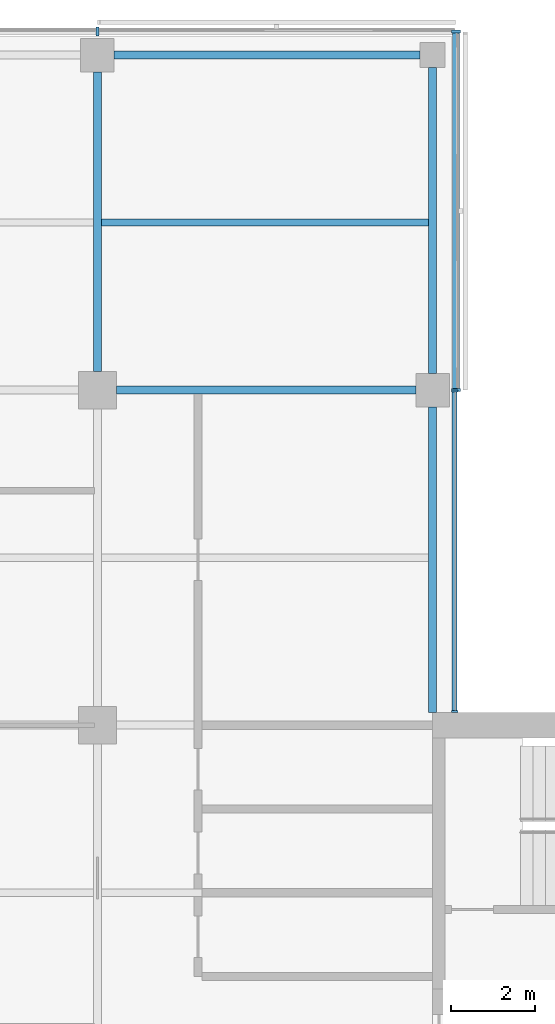
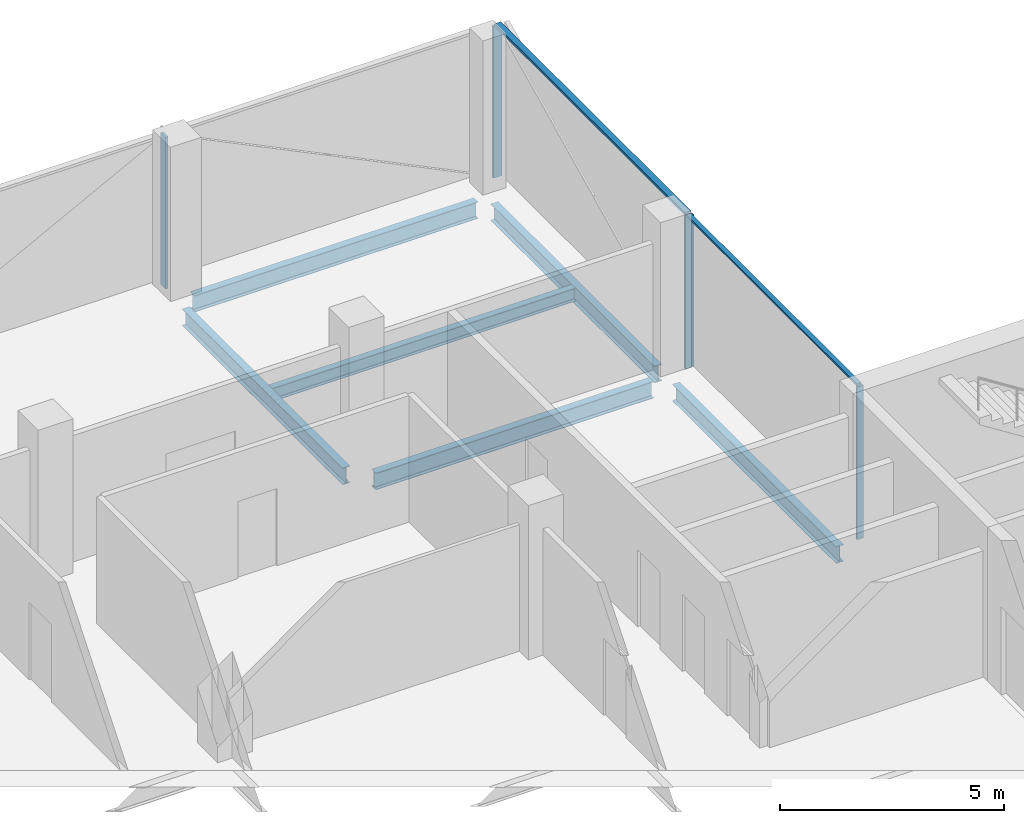
# One storey, part 7 of 16: 7 members, 6 beams, 3 elements without a shape of their own.
"""IFC4 building model written with IfcOpenShell, lengths in metres."""

from ifc_helpers import new_model, si_unit, direction, frame, origin, origin_2d, place, context, subcontext, project, spatial, rectangle, i_section, extrude, material, material_profile, profile_set, type_object, element, aggregate, save


model = new_model("IFC4")

# Units and contexts
model_context = context("Model", 3, precision=1e-05, world=origin(), true_north=direction((0.0, 1.0)))
body_context = subcontext(model_context, "Body", "Model", "MODEL_VIEW")
ifc_project = project(units=[si_unit("LENGTHUNIT", "METRE"), si_unit("AREAUNIT", "SQUARE_METRE"), si_unit("VOLUMEUNIT", "CUBIC_METRE"), si_unit("PLANEANGLEUNIT", "RADIAN"), si_unit("MASSUNIT", "GRAM", prefix="KILO")], contexts=[model_context])

# Site, building, storey
site_placement = place(None, origin())
site = spatial("IfcSite", under=ifc_project, at=site_placement, CompositionType="ELEMENT")
building_placement = place(site_placement, origin())
building = spatial("IfcBuilding", under=site, at=building_placement, Name="Crosswind Convention Tower", CompositionType="ELEMENT")
storey_placement = place(building_placement, frame((0.0, 0.0, 212.5)))
storey = spatial("IfcBuildingStorey", under=building, at=storey_placement, Name="L45", CompositionType="ELEMENT", Elevation=212.5)

# Beams
ifc_material_1 = material(Name="Steel S355", Category="steel")
ifc_material_profile_1 = material_profile(ifc_material_1, i_section(OverallWidth=0.18994140625, OverallDepth=0.45361328125, WebThickness=0.008544921875, FlangeThickness=0.0126953125, FilletRadius=0.01025390625, at=origin_2d()), Name="UB 457x191x67")
ifc_profile_set_1 = profile_set([ifc_material_profile_1], Name="Steel S355")
beam_type_1 = type_object("IfcBeamType", Name="Edge beam UB 457x191x67", PredefinedType="SPANDREL", material=ifc_profile_set_1)
for number, where, z_axis, x_axis, name in (
    (1, (129.39990234375, 128.0, -0.52685546875), (1.0, 0.0, 0.0), (0.0, 1.0, 0.0), "B16 L45 edge beam 10"),
    (2, (137.0, 112.300048828125, -0.52685546875), (0.0, 1.0, 0.0), (-1.0, 0.0, 0.0), "B16 L45 edge beam 13"),
    (3, (137.0, 120.39990234375, -0.52685546875), (0.0, 1.0, 0.0), (-1.0, 0.0, 0.0), "B16 L45 edge beam 14"),
):
    element("IfcBeam", number, at=place(storey_placement, frame(where, z_axis=z_axis, x_axis=x_axis)), inside=storey, type_object=beam_type_1, Name=name, PredefinedType="SPANDREL", context=body_context, shape_type="SweptSolid", body=[
        extrude(i_section(OverallWidth=0.18994140625, OverallDepth=0.45361328125, WebThickness=0.008544921875, FlangeThickness=0.0126953125, FilletRadius=0.01025390625, at=origin_2d()), origin(), (0.0, 0.0, 1.0), 7.300048828125),
    ])
ifc_material_profile_2 = material_profile(ifc_material_1, i_section(OverallWidth=0.1904296875, OverallDepth=0.457275390625, WebThickness=0.009033203125, FlangeThickness=0.014404296875, FilletRadius=0.01025390625, at=origin_2d()), Name="UB 457x191x75")
ifc_profile_set_2 = profile_set([ifc_material_profile_2], Name="Steel S355")
beam_type_2 = type_object("IfcBeamType", Name="Girder UB 457x191x75", PredefinedType="BEAM", material=ifc_profile_set_2)
for number, where, z_axis, x_axis, name in (
    (4, (129.0, 120.449951171875, -0.528564453125), (0.0, 1.0, 0.0), (-1.0, 0.0, 0.0), "B2 L45 girder 22"),
    (5, (129.449951171875, 120.0, -0.528564453125), (1.0, 0.0, 0.0), (0.0, 1.0, 0.0), "B2 L45 girder 24"),
):
    element("IfcBeam", number, at=place(storey_placement, frame(where, z_axis=z_axis, x_axis=x_axis)), inside=storey, type_object=beam_type_2, Name=name, PredefinedType="BEAM", context=body_context, shape_type="SweptSolid", body=[
        extrude(i_section(OverallWidth=0.1904296875, OverallDepth=0.457275390625, WebThickness=0.009033203125, FlangeThickness=0.014404296875, FilletRadius=0.01025390625, at=origin_2d()), origin(), (0.0, 0.0, 1.0), 7.150146484375),
    ])

# Curtain wall, members
ifc_material_2 = material(Name="Aluminium unitised curtain wall", Category="aluminium")
curtain_wall_type_1 = type_object("IfcCurtainWallType", Name="CORE END SLOT WALL 160", PredefinedType="USERDEFINED", material=ifc_material_2)
curtain_wall_1_placement = place(storey_placement, origin())
curtain_wall_1 = element("IfcCurtainWall", 6, at=curtain_wall_1_placement, inside=storey, type_object=curtain_wall_type_1, Name="CW6 L45 N-E.1-1 slot", ObjectType="UNITISED", PredefinedType="USERDEFINED")
ifc_material_3 = material(Name="Aluminium mullion", Category="aluminium")
ifc_material_profile_3 = material_profile(ifc_material_3, rectangle(XDim=0.159912109375, YDim=0.050048828125, at=origin_2d()), Name="AL 160X50")
ifc_profile_set_3 = profile_set([ifc_material_profile_3], Name="Aluminium mullion")
member_type_1 = type_object("IfcMemberType", Name="MULLION 50X160", PredefinedType="MULLION", material=ifc_profile_set_3)
member_1_placement = place(storey_placement, frame((137.530029296875, 112.324951171875, -0.300048828125), z_axis=(0.0, 0.0, 1.0), x_axis=(1.0, 0.0, 0.0)))
member_1 = element("IfcMember", 7, at=member_1_placement, type_object=member_type_1, Name="CW6 mullion 1", PredefinedType="MULLION", context=body_context, shape_type="SweptSolid", body=[
    extrude(rectangle(XDim=0.159912109375, YDim=0.050048828125, at=origin_2d()), origin(), (0.0, 0.0, 1.0), 4.150146484375),
])
member_2_placement = place(storey_placement, frame((137.530029296875, 119.97509765625, -0.300048828125), z_axis=(0.0, 0.0, 1.0), x_axis=(1.0, 0.0, 0.0)))
member_2 = element("IfcMember", 8, at=member_2_placement, type_object=member_type_1, Name="CW6 mullion 2", PredefinedType="MULLION", context=body_context, shape_type="SweptSolid", body=[
    extrude(rectangle(XDim=0.159912109375, YDim=0.050048828125, at=origin_2d()), origin(), (0.0, 0.0, 1.0), 4.150146484375),
])

curtain_wall_type_2 = type_object("IfcCurtainWallType", Name="OFFICE UNITISED WALL 220", PredefinedType="USERDEFINED", material=ifc_material_2)
curtain_wall_2_placement = place(storey_placement, origin())
curtain_wall_2 = element("IfcCurtainWall", 9, at=curtain_wall_2_placement, inside=storey, type_object=curtain_wall_type_2, Name="CW3 L45 N-E 1", ObjectType="UNITISED", PredefinedType="USERDEFINED")
ifc_material_profile_4 = material_profile(ifc_material_3, rectangle(XDim=0.219970703125, YDim=0.070068359375, at=origin_2d()), Name="AL 220X70")
ifc_profile_set_4 = profile_set([ifc_material_profile_4], Name="Aluminium mullion")
member_type_2 = type_object("IfcMemberType", Name="MULLION 70X220", PredefinedType="MULLION", material=ifc_profile_set_4)
member_3_placement = place(storey_placement, frame((137.56005859375, 120.0, -0.300048828125), z_axis=(0.0, 0.0, 1.0), x_axis=(1.0, 0.0, 0.0)))
member_3 = element("IfcMember", 10, at=member_3_placement, type_object=member_type_2, Name="CW3 mullion 1", PredefinedType="MULLION", context=body_context, shape_type="SweptSolid", body=[
    extrude(rectangle(XDim=0.219970703125, YDim=0.070068359375, at=origin_2d()), origin(), (0.0, 0.0, 1.0), 4.130126953125),
])
member_4_placement = place(storey_placement, frame((137.56005859375, 128.56005859375, -0.300048828125), z_axis=(0.0, 0.0, 1.0), x_axis=(1.0, 0.0, 0.0)))
member_4 = element("IfcMember", 11, at=member_4_placement, type_object=member_type_2, Name="CW3 mullion 2", PredefinedType="MULLION", context=body_context, shape_type="SweptSolid", body=[
    extrude(rectangle(XDim=0.219970703125, YDim=0.070068359375, at=origin_2d()), origin(), (0.0, 0.0, 1.0), 4.130126953125),
])

# Curtain wall, member
curtain_wall_3_placement = place(storey_placement, origin())
curtain_wall_3 = element("IfcCurtainWall", 12, at=curtain_wall_3_placement, inside=storey, type_object=curtain_wall_type_2, Name="CW3 L45 N-TIP 1", ObjectType="UNITISED", PredefinedType="USERDEFINED")
member_5_placement = place(storey_placement, frame((129.0, 128.56005859375, -0.300048828125), z_axis=(0.0, 0.0, 1.0), x_axis=(0.0, 1.0, 0.0)))
member_5 = element("IfcMember", 13, at=member_5_placement, type_object=member_type_2, Name="CW3 mullion 2", PredefinedType="MULLION", context=body_context, shape_type="SweptSolid", body=[
    extrude(rectangle(XDim=0.219970703125, YDim=0.070068359375, at=origin_2d()), origin(), (0.0, 0.0, 1.0), 4.130126953125),
])
aggregate(curtain_wall_3, [member_5])

# Beam
ifc_material_profile_5 = material_profile(ifc_material_1, i_section(OverallWidth=0.172119140625, OverallDepth=0.358642578125, WebThickness=0.008056640625, FlangeThickness=0.012939453125, FilletRadius=0.01025390625, at=origin_2d()), Name="UB 356x171x57")
ifc_profile_set_5 = profile_set([ifc_material_profile_5], Name="Steel S355")
beam_type_3 = type_object("IfcBeamType", Name="Secondary beam UB 356x171x57", PredefinedType="JOIST", material=ifc_profile_set_5)
beam_placement = place(storey_placement, frame((129.09521484375, 124.0, -0.479248046875), z_axis=(1.0, 0.0, 0.0), x_axis=(0.0, 1.0, 0.0)))
element("IfcBeam", 14, at=beam_placement, inside=storey, type_object=beam_type_3, Name="B9 L45 secondary beam 21", PredefinedType="JOIST", context=body_context, shape_type="SweptSolid", body=[
    extrude(i_section(OverallWidth=0.172119140625, OverallDepth=0.358642578125, WebThickness=0.008056640625, FlangeThickness=0.012939453125, FilletRadius=0.01025390625, at=origin_2d()), origin(), (0.0, 0.0, 1.0), 7.809814453125),
])

# Member
ifc_material_4 = material(Name="Aluminium transom", Category="aluminium")
ifc_material_profile_6 = material_profile(ifc_material_4, rectangle(XDim=0.1201171875, YDim=0.050048828125, at=origin_2d()), Name="AL 120X50")
ifc_profile_set_6 = profile_set([ifc_material_profile_6], Name="Aluminium transom")
member_type_3 = type_object("IfcMemberType", Name="TRANSOM 50X120", PredefinedType="USERDEFINED", material=ifc_profile_set_6)
member_6_placement = place(storey_placement, frame((137.530029296875, 112.35009765625, 3.875), z_axis=(0.0, 1.0, 0.0), x_axis=(-1.0, 0.0, 0.0)))
member_6 = element("IfcMember", 15, at=member_6_placement, type_object=member_type_3, Name="CW6 transom", ObjectType="TRANSOM", PredefinedType="USERDEFINED", context=body_context, shape_type="SweptSolid", body=[
    extrude(rectangle(XDim=0.1201171875, YDim=0.050048828125, at=origin_2d()), origin(), (0.0, 0.0, 1.0), 7.599853515625),
])

aggregate(curtain_wall_1, [member_1, member_2, member_6])

ifc_material_profile_7 = material_profile(ifc_material_4, rectangle(XDim=0.159912109375, YDim=0.070068359375, at=origin_2d()), Name="AL 160X70")
ifc_profile_set_7 = profile_set([ifc_material_profile_7], Name="Aluminium transom")
member_type_4 = type_object("IfcMemberType", Name="TRANSOM 70X160", PredefinedType="USERDEFINED", material=ifc_profile_set_7)
member_7_placement = place(storey_placement, frame((137.56005859375, 120.034912109375, 3.864990234375), z_axis=(0.0, 1.0, 0.0), x_axis=(-1.0, 0.0, 0.0)))
member_7 = element("IfcMember", 16, at=member_7_placement, type_object=member_type_4, Name="CW3 transom", ObjectType="TRANSOM", PredefinedType="USERDEFINED", context=body_context, shape_type="SweptSolid", body=[
    extrude(rectangle(XDim=0.159912109375, YDim=0.070068359375, at=origin_2d()), origin(), (0.0, 0.0, 1.0), 8.489990234375),
])

aggregate(curtain_wall_2, [member_3, member_4, member_7])

save(model, "model.ifc")
